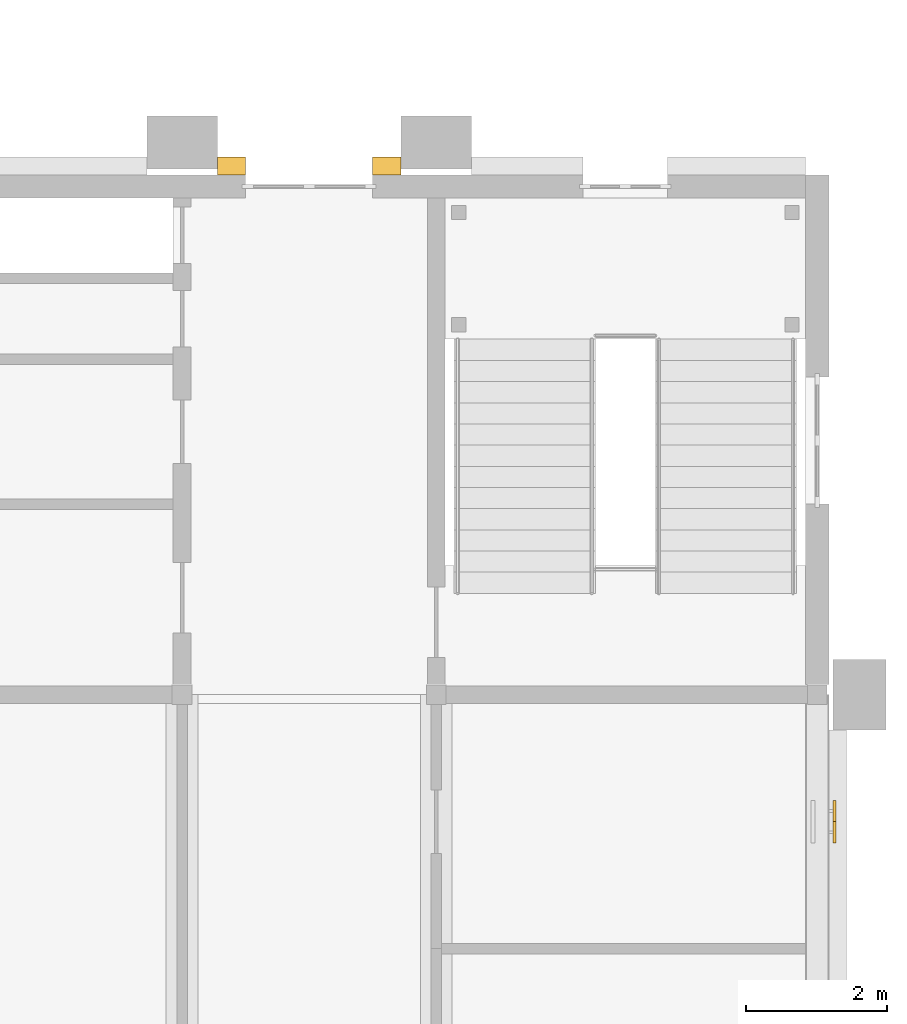
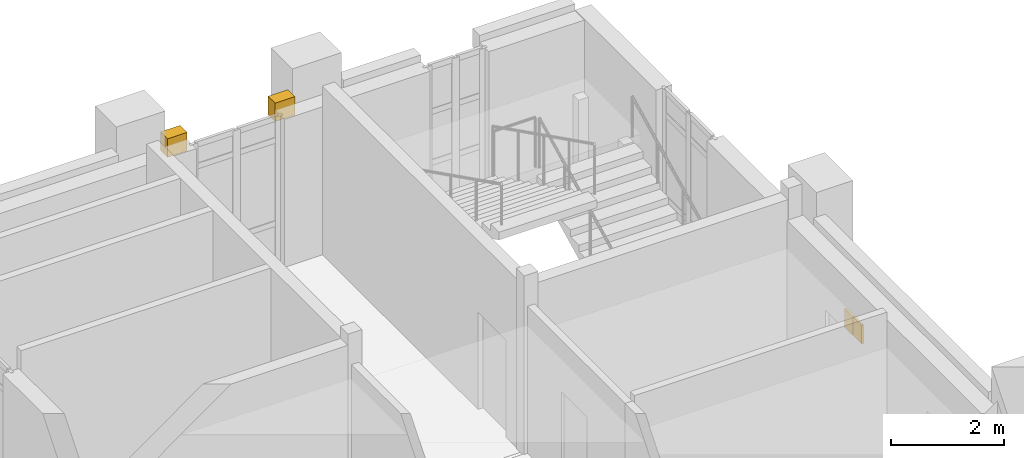
# One storey, part 69 of 69: 4 coverings.
"""IFC4 building model written with IfcOpenShell, lengths in metres."""

from ifc_helpers import new_model, si_unit, direction, frame, origin, origin_2d, place, context, subcontext, project, spatial, polyline, rectangle, outline, extrude, material, layer, layer_set, type_object, element, save


model = new_model("IFC4")

# Units and contexts
model_context = context("Model", 3, precision=1e-05, world=origin(), true_north=direction((0.0, 1.0)))
body_context = subcontext(model_context, "Body", "Model", "MODEL_VIEW")
ifc_project = project(units=[si_unit("LENGTHUNIT", "METRE"), si_unit("AREAUNIT", "SQUARE_METRE"), si_unit("VOLUMEUNIT", "CUBIC_METRE"), si_unit("PLANEANGLEUNIT", "RADIAN"), si_unit("MASSUNIT", "GRAM", prefix="KILO")], contexts=[model_context])

# Site, building, storey
site_placement = place(None, origin())
site = spatial("IfcSite", under=ifc_project, at=site_placement, CompositionType="ELEMENT")
building_placement = place(site_placement, origin())
building = spatial("IfcBuilding", under=site, at=building_placement, Name="Mazhai Court Health Centre", CompositionType="ELEMENT")
storey_placement = place(building_placement, frame((0.0, 0.0, 6.300048828125)))
storey = spatial("IfcBuildingStorey", under=building, at=storey_placement, Name="L01", CompositionType="ELEMENT", Elevation=6.300048828125)

# Coverings
ifc_material_1 = material(Name="Clay brick masonry", Category="masonry")
ifc_layer_1 = layer(ifc_material_1, 0.25)
ifc_layer_set_1 = layer_set([ifc_layer_1], Name="BRICK BAND 250")
covering_type_1 = type_object("IfcCoveringType", Name="BRICK BAND 250", PredefinedType="MOLDING", material=ifc_layer_set_1)
covering_1_placement = place(storey_placement, frame((0.0, 0.0, 2.949951171875)))
element("IfcCovering", 1, at=covering_1_placement, inside=storey, type_object=covering_type_1, Name="EB-V6-L01-Ep0-1", PredefinedType="MOLDING", context=body_context, shape_type="SweptSolid", body=[
    extrude(outline(polyline([(141.699951171875, 49.56494140625), (142.10009765625, 49.56494140625), (142.10009765625, 49.81494140625), (141.699951171875, 49.81494140625), (141.699951171875, 49.56494140625)])), origin(), (0.0, 0.0, 1.0), 0.39990234375),
])
covering_2_placement = place(storey_placement, frame((0.0, 0.0, 2.949951171875)))
element("IfcCovering", 2, at=covering_2_placement, inside=storey, type_object=covering_type_1, Name="EB-V6-L01-Ep1-0", PredefinedType="MOLDING", context=body_context, shape_type="SweptSolid", body=[
    extrude(outline(polyline([(143.89990234375, 49.56494140625), (144.300048828125, 49.56494140625), (144.300048828125, 49.81494140625), (143.89990234375, 49.81494140625), (143.89990234375, 49.56494140625)])), origin(), (0.0, 0.0, 1.0), 0.39990234375),
])
ifc_material_2 = material(Name="Aluminium louvre", Category="aluminium")
ifc_layer_2 = layer(ifc_material_2, 0.0400390625)
ifc_layer_set_2 = layer_set([ifc_layer_2], Name="SHUTTER LEAF 600x40")
covering_type_2 = type_object("IfcCoveringType", Name="SHUTTER LEAF 600x40", PredefinedType="CLADDING", material=ifc_layer_set_2)
for number, where, z_axis, x_axis, name in (
    (3, (150.445068359375, 40.25, 1.60009765625), (0.0, 0.0, 1.0), (0.0, 1.0, 0.0), "LV-V6-L01-B41a"),
    (4, (150.445068359375, 40.550048828125, 1.60009765625), (0.0, 0.0, 1.0), (0.0, 1.0, 0.0), "LV-V6-L01-B41b"),
):
    element("IfcCovering", number, at=place(storey_placement, frame(where, z_axis=z_axis, x_axis=x_axis)), inside=storey, type_object=covering_type_2, Name=name, PredefinedType="CLADDING", context=body_context, shape_type="SweptSolid", body=[
        extrude(rectangle(XDim=0.300048828125, YDim=0.0400390625, at=origin_2d()), origin(), (0.0, 0.0, 1.0), 0.39990234375),
    ])

save(model, "model.ifc")
